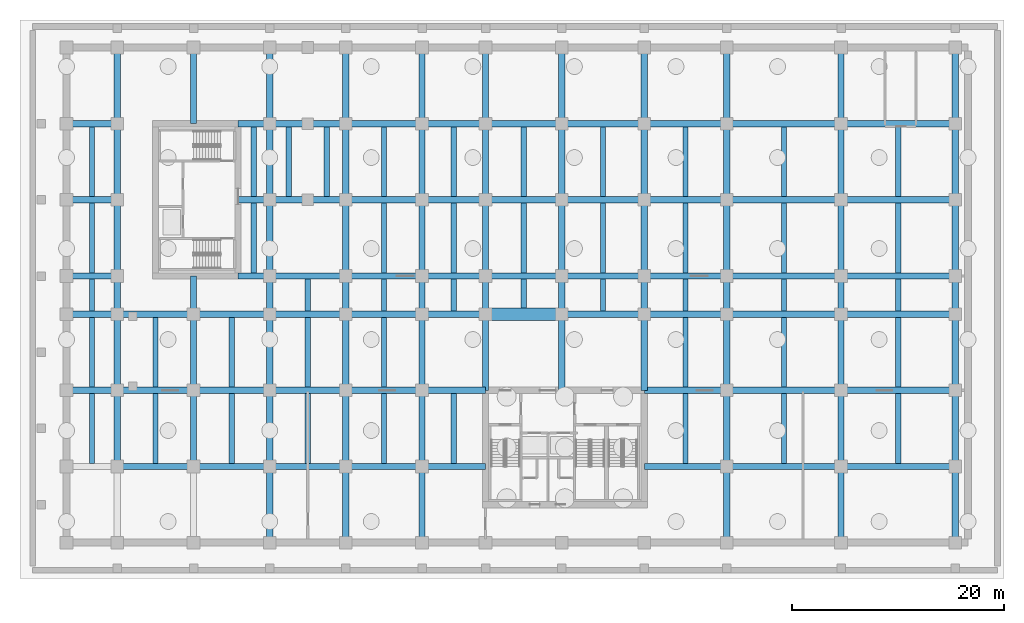
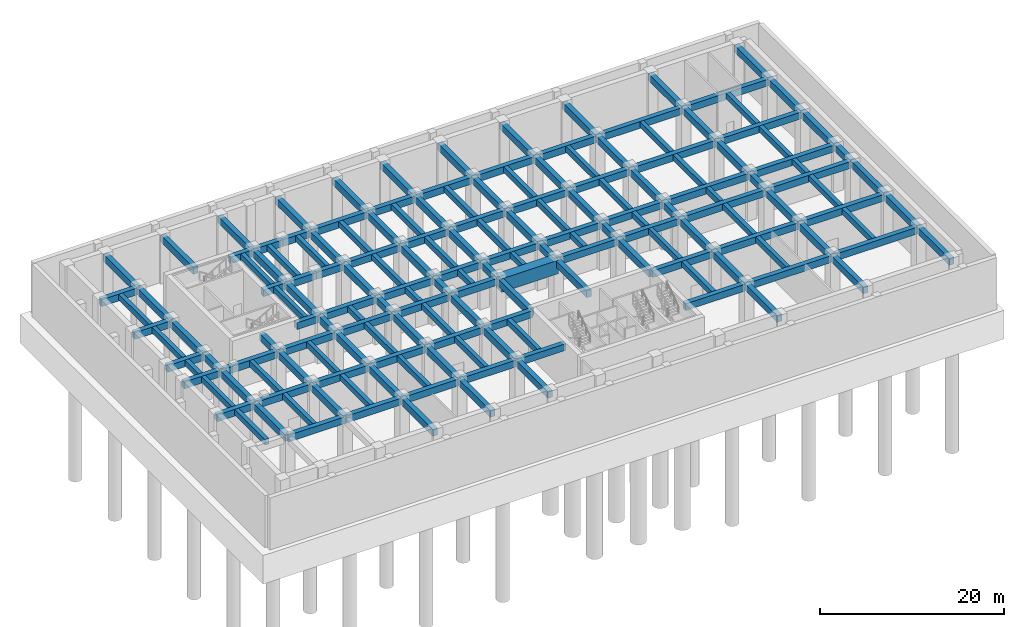
# One storey, part 2 of 13: 173 beams.
"""IFC4 building model written with IfcOpenShell, lengths in metres."""

from ifc_helpers import new_model, si_unit, derived_unit, direction, frame, origin, origin_2d, place, context, subcontext, project, spatial, rectangle, extrude, source, transform, mapped, material, material_profile, profile_set, type_object, type_shapes, element, save


model = new_model("IFC4")

# Units and contexts
model_context = context("Model", 3, precision=1e-05, world=origin(), true_north=direction((0.0, 1.0)))
body_context = subcontext(model_context, "Body", "Model", "MODEL_VIEW")
ifc_project = project(units=[si_unit("LENGTHUNIT", "METRE"), si_unit("AREAUNIT", "SQUARE_METRE"), si_unit("VOLUMEUNIT", "CUBIC_METRE"), si_unit("PLANEANGLEUNIT", "RADIAN"), si_unit("MASSUNIT", "GRAM", prefix="KILO"), si_unit("THERMODYNAMICTEMPERATUREUNIT", "KELVIN"), si_unit("POWERUNIT", "WATT"), derived_unit("THERMALTRANSMITTANCEUNIT", [(si_unit("POWERUNIT", "WATT"), 1), (si_unit("AREAUNIT", "SQUARE_METRE"), -1), (si_unit("THERMODYNAMICTEMPERATUREUNIT", "KELVIN"), -1)])], contexts=[model_context])

# Site, building, storey
site_placement = place(None, origin())
site = spatial("IfcSite", under=ifc_project, at=site_placement, CompositionType="ELEMENT")
building_placement = place(site_placement, origin())
building = spatial("IfcBuilding", under=site, at=building_placement, Name="Zahravan Archway Hotel and Residences", CompositionType="ELEMENT")
storey_placement = place(building_placement, frame((0.0, 0.0, -13.0)))
storey = spatial("IfcBuildingStorey", under=building, at=storey_placement, Name="B02", CompositionType="ELEMENT", Elevation=-13.0)

# Beams
ifc_material_1 = material(Name="Concrete C60/75", Category="concrete")
ifc_material_profile_1 = material_profile(ifc_material_1, rectangle(XDim=1.199951171875, YDim=1.800048828125, at=origin_2d()), Name="RC 1200x1800", Category="concrete")
ifc_profile_set_1 = profile_set([ifc_material_profile_1], Name="Concrete C60/75")
beam_type_1 = type_object("IfcBeamType", Name="BM-TRG-1200x1800", PredefinedType="T_BEAM", material=ifc_profile_set_1)
shared_shape_1 = source(origin(), body_context, "Body", "SweptSolid", [
    extrude(rectangle(XDim=1.199951171875, YDim=1.800048828125, at=origin_2d()), origin(), (0.0, 0.0, 1.0), 7.199951171875),
])
type_shapes(beam_type_1, [shared_shape_1])
beam_1_placement = place(storey_placement, frame((34.800048828125, 21.60009765625, 5.199951171875), z_axis=(1.0, 0.0, 0.0), x_axis=(0.0, 1.0, 0.0)))
element("IfcBeam", 1, at=beam_1_placement, inside=storey, type_object=beam_type_1, Name="B02 Metro Hall Deep Girder", PredefinedType="T_BEAM", context=body_context, shape_type="MappedRepresentation", body=[
    mapped(shared_shape_1, transform((0.0, 0.0, 0.0), scale=1.0)),
])
ifc_material_2 = material(Name="Concrete C50/60", Category="concrete")
ifc_material_profile_2 = material_profile(ifc_material_2, rectangle(XDim=0.60009765625, YDim=0.89990234375, at=origin_2d()), Name="RC-BM-600x900", Category="concrete")
ifc_profile_set_2 = profile_set([ifc_material_profile_2], Name="Concrete C50/60")
beam_type_2 = type_object("IfcBeamType", Name="BM-RC-600x900", PredefinedType="BEAM", material=ifc_profile_set_2)
shared_shape_2 = source(origin(), body_context, "Body", "SweptSolid", [
    extrude(rectangle(XDim=0.60009765625, YDim=0.89990234375, at=origin_2d()), origin(), (0.0, 0.0, 1.0), 4.800048828125),
])
type_shapes(beam_type_2, [shared_shape_2])
for number, where, z_axis, x_axis, name in (
    (2, (-4.800048828125, 14.39990234375, 5.64990234375), (1.0, 0.0, 0.0), (0.0, 1.0, 0.0), "B02 Primary Girder EW-10"),
    (3, (-4.800048828125, 21.60009765625, 5.64990234375), (1.0, 0.0, 0.0), (0.0, 1.0, 0.0), "B02 Primary Girder EW-19"),
    (4, (-4.800048828125, 25.199951171875, 5.64990234375), (1.0, 0.0, 0.0), (0.0, 1.0, 0.0), "B02 Primary Girder EW-29"),
    (5, (-4.800048828125, 32.39990234375, 5.64990234375), (1.0, 0.0, 0.0), (0.0, 1.0, 0.0), "B02 Primary Girder EW-39"),
    (6, (-4.800048828125, 39.60009765625, 5.64990234375), (1.0, 0.0, 0.0), (0.0, 1.0, 0.0), "B02 Primary Girder EW-50"),
):
    element("IfcBeam", number, at=place(storey_placement, frame(where, z_axis=z_axis, x_axis=x_axis)), inside=storey, type_object=beam_type_2, Name=name, PredefinedType="BEAM", context=body_context, shape_type="MappedRepresentation", body=[
        mapped(shared_shape_2, transform((0.0, 0.0, 0.0), scale=1.0)),
    ])
shared_shape_3 = source(origin(), body_context, "Body", "SweptSolid", [
    extrude(rectangle(XDim=0.60009765625, YDim=0.89990234375, at=origin_2d()), origin(), (0.0, 0.0, 1.0), 7.199951171875),
])
for number, where, z_axis, x_axis, name in (
    (7, (0.0, 7.199951171875, 5.64990234375), (1.0, 0.0, 0.0), (0.0, 1.0, 0.0), "B02 Primary Girder EW-02"),
    (8, (7.199951171875, 7.199951171875, 5.64990234375), (1.0, 0.0, 0.0), (0.0, 1.0, 0.0), "B02 Primary Girder EW-03"),
    (9, (21.60009765625, 7.199951171875, 5.64990234375), (1.0, 0.0, 0.0), (0.0, 1.0, 0.0), "B02 Primary Girder EW-05"),
    (10, (0.0, 14.39990234375, 5.64990234375), (1.0, 0.0, 0.0), (0.0, 1.0, 0.0), "B02 Primary Girder EW-11"),
    (11, (7.199951171875, 14.39990234375, 5.64990234375), (1.0, 0.0, 0.0), (0.0, 1.0, 0.0), "B02 Primary Girder EW-12"),
    (12, (21.60009765625, 14.39990234375, 5.64990234375), (1.0, 0.0, 0.0), (0.0, 1.0, 0.0), "B02 Primary Girder EW-14"),
    (13, (0.0, 21.60009765625, 5.64990234375), (1.0, 0.0, 0.0), (0.0, 1.0, 0.0), "B02 Primary Girder EW-20"),
    (14, (7.199951171875, 21.60009765625, 5.64990234375), (1.0, 0.0, 0.0), (0.0, 1.0, 0.0), "B02 Primary Girder EW-21"),
    (15, (21.60009765625, 21.60009765625, 5.64990234375), (1.0, 0.0, 0.0), (0.0, 1.0, 0.0), "B02 Primary Girder EW-23"),
    (16, (21.60009765625, 25.199951171875, 5.64990234375), (1.0, 0.0, 0.0), (0.0, 1.0, 0.0), "B02 Primary Girder EW-32"),
    (17, (34.800048828125, 25.199951171875, 5.64990234375), (1.0, 0.0, 0.0), (0.0, 1.0, 0.0), "B02 Primary Girder EW-34"),
    (18, (21.60009765625, 32.39990234375, 5.64990234375), (1.0, 0.0, 0.0), (0.0, 1.0, 0.0), "B02 Primary Girder EW-43"),
    (19, (34.800048828125, 32.39990234375, 5.64990234375), (1.0, 0.0, 0.0), (0.0, 1.0, 0.0), "B02 Primary Girder EW-45"),
    (20, (21.60009765625, 39.60009765625, 5.64990234375), (1.0, 0.0, 0.0), (0.0, 1.0, 0.0), "B02 Primary Girder EW-54"),
    (21, (34.800048828125, 39.60009765625, 5.64990234375), (1.0, 0.0, 0.0), (0.0, 1.0, 0.0), "B02 Primary Girder EW-56"),
    (22, (0.0, 7.199951171875, 5.64990234375), (0.0, 1.0, 0.0), (-1.0, 0.0, 0.0), "B02 Primary Girder NS-62"),
    (23, (0.0, 25.199951171875, 5.64990234375), (0.0, 1.0, 0.0), (-1.0, 0.0, 0.0), "B02 Primary Girder NS-65"),
    (24, (0.0, 39.60009765625, 5.64990234375), (0.0, 1.0, 0.0), (-1.0, 0.0, 0.0), "B02 Primary Girder NS-67"),
    (25, (7.199951171875, 7.199951171875, 5.64990234375), (0.0, 1.0, 0.0), (-1.0, 0.0, 0.0), "B02 Primary Girder NS-69"),
    (26, (7.199951171875, 39.60009765625, 5.64990234375), (0.0, 1.0, 0.0), (-1.0, 0.0, 0.0), "B02 Primary Girder NS-72"),
    (27, (14.39990234375, 0.0, 5.64990234375), (0.0, 1.0, 0.0), (-1.0, 0.0, 0.0), "B02 Primary Girder NS-73"),
    (28, (14.39990234375, 7.199951171875, 5.64990234375), (0.0, 1.0, 0.0), (-1.0, 0.0, 0.0), "B02 Primary Girder NS-74"),
    (29, (14.39990234375, 25.199951171875, 5.64990234375), (0.0, 1.0, 0.0), (-1.0, 0.0, 0.0), "B02 Primary Girder NS-77"),
    (30, (14.39990234375, 39.60009765625, 5.64990234375), (0.0, 1.0, 0.0), (-1.0, 0.0, 0.0), "B02 Primary Girder NS-79"),
    (31, (21.60009765625, 0.0, 5.64990234375), (0.0, 1.0, 0.0), (-1.0, 0.0, 0.0), "B02 Primary Girder NS-80"),
    (32, (21.60009765625, 7.199951171875, 5.64990234375), (0.0, 1.0, 0.0), (-1.0, 0.0, 0.0), "B02 Primary Girder NS-81"),
    (33, (21.60009765625, 25.199951171875, 5.64990234375), (0.0, 1.0, 0.0), (-1.0, 0.0, 0.0), "B02 Primary Girder NS-84"),
    (34, (21.60009765625, 39.60009765625, 5.64990234375), (0.0, 1.0, 0.0), (-1.0, 0.0, 0.0), "B02 Primary Girder NS-86"),
    (35, (28.800048828125, 0.0, 5.64990234375), (0.0, 1.0, 0.0), (-1.0, 0.0, 0.0), "B02 Primary Girder NS-87"),
    (36, (28.800048828125, 7.199951171875, 5.64990234375), (0.0, 1.0, 0.0), (-1.0, 0.0, 0.0), "B02 Primary Girder NS-88"),
    (37, (28.800048828125, 25.199951171875, 5.64990234375), (0.0, 1.0, 0.0), (-1.0, 0.0, 0.0), "B02 Primary Girder NS-91"),
    (38, (28.800048828125, 39.60009765625, 5.64990234375), (0.0, 1.0, 0.0), (-1.0, 0.0, 0.0), "B02 Primary Girder NS-93"),
    (39, (34.800048828125, 25.199951171875, 5.64990234375), (0.0, 1.0, 0.0), (-1.0, 0.0, 0.0), "B02 Primary Girder NS-96"),
    (40, (34.800048828125, 39.60009765625, 5.64990234375), (0.0, 1.0, 0.0), (-1.0, 0.0, 0.0), "B02 Primary Girder NS-98"),
    (41, (42.0, 25.199951171875, 5.64990234375), (0.0, 1.0, 0.0), (-1.0, 0.0, 0.0), "B02 Primary Girder NS-101"),
    (42, (42.0, 39.60009765625, 5.64990234375), (0.0, 1.0, 0.0), (-1.0, 0.0, 0.0), "B02 Primary Girder NS-103"),
    (43, (49.800048828125, 25.199951171875, 5.64990234375), (0.0, 1.0, 0.0), (-1.0, 0.0, 0.0), "B02 Primary Girder NS-106"),
    (44, (49.800048828125, 39.60009765625, 5.64990234375), (0.0, 1.0, 0.0), (-1.0, 0.0, 0.0), "B02 Primary Girder NS-108"),
    (45, (57.60009765625, 0.0, 5.64990234375), (0.0, 1.0, 0.0), (-1.0, 0.0, 0.0), "B02 Primary Girder NS-109"),
    (46, (57.60009765625, 7.199951171875, 5.64990234375), (0.0, 1.0, 0.0), (-1.0, 0.0, 0.0), "B02 Primary Girder NS-110"),
    (47, (57.60009765625, 25.199951171875, 5.64990234375), (0.0, 1.0, 0.0), (-1.0, 0.0, 0.0), "B02 Primary Girder NS-113"),
    (48, (57.60009765625, 39.60009765625, 5.64990234375), (0.0, 1.0, 0.0), (-1.0, 0.0, 0.0), "B02 Primary Girder NS-115"),
    (49, (68.39990234375, 0.0, 5.64990234375), (0.0, 1.0, 0.0), (-1.0, 0.0, 0.0), "B02 Primary Girder NS-116"),
    (50, (68.39990234375, 7.199951171875, 5.64990234375), (0.0, 1.0, 0.0), (-1.0, 0.0, 0.0), "B02 Primary Girder NS-117"),
    (51, (68.39990234375, 25.199951171875, 5.64990234375), (0.0, 1.0, 0.0), (-1.0, 0.0, 0.0), "B02 Primary Girder NS-120"),
    (52, (68.39990234375, 39.60009765625, 5.64990234375), (0.0, 1.0, 0.0), (-1.0, 0.0, 0.0), "B02 Primary Girder NS-122"),
    (53, (79.199951171875, 0.0, 5.64990234375), (0.0, 1.0, 0.0), (-1.0, 0.0, 0.0), "B02 Primary Girder NS-123"),
    (54, (79.199951171875, 7.199951171875, 5.64990234375), (0.0, 1.0, 0.0), (-1.0, 0.0, 0.0), "B02 Primary Girder NS-124"),
    (55, (79.199951171875, 25.199951171875, 5.64990234375), (0.0, 1.0, 0.0), (-1.0, 0.0, 0.0), "B02 Primary Girder NS-127"),
    (56, (79.199951171875, 39.60009765625, 5.64990234375), (0.0, 1.0, 0.0), (-1.0, 0.0, 0.0), "B02 Primary Girder NS-129"),
):
    element("IfcBeam", number, at=place(storey_placement, frame(where, z_axis=z_axis, x_axis=x_axis)), inside=storey, type_object=beam_type_2, Name=name, PredefinedType="BEAM", context=body_context, shape_type="MappedRepresentation", body=[
        mapped(shared_shape_3, transform((0.0, 0.0, 0.0), scale=1.0)),
    ])
shared_shape_4 = source(origin(), body_context, "Body", "SweptSolid", [
    extrude(rectangle(XDim=0.60009765625, YDim=0.89990234375, at=origin_2d()), origin(), (0.0, 0.0, 1.0), 7.2001953125),
])
for number, where, z_axis, x_axis, name in (
    (57, (14.39990234375, 7.199951171875, 5.64990234375), (1.0, 0.0, 0.0), (0.0, 1.0, 0.0), "B02 Primary Girder EW-04"),
    (58, (14.39990234375, 14.39990234375, 5.64990234375), (1.0, 0.0, 0.0), (0.0, 1.0, 0.0), "B02 Primary Girder EW-13"),
    (59, (14.39990234375, 21.60009765625, 5.64990234375), (1.0, 0.0, 0.0), (0.0, 1.0, 0.0), "B02 Primary Girder EW-22"),
    (60, (14.39990234375, 25.199951171875, 5.64990234375), (1.0, 0.0, 0.0), (0.0, 1.0, 0.0), "B02 Primary Girder EW-31"),
    (61, (0.0, 14.39990234375, 5.64990234375), (0.0, 1.0, 0.0), (-1.0, 0.0, 0.0), "B02 Primary Girder NS-63"),
    (62, (0.0, 32.39990234375, 5.64990234375), (0.0, 1.0, 0.0), (-1.0, 0.0, 0.0), "B02 Primary Girder NS-66"),
    (63, (7.199951171875, 14.39990234375, 5.64990234375), (0.0, 1.0, 0.0), (-1.0, 0.0, 0.0), "B02 Primary Girder NS-70"),
    (64, (14.39990234375, 14.39990234375, 5.64990234375), (0.0, 1.0, 0.0), (-1.0, 0.0, 0.0), "B02 Primary Girder NS-75"),
    (65, (14.39990234375, 32.39990234375, 5.64990234375), (0.0, 1.0, 0.0), (-1.0, 0.0, 0.0), "B02 Primary Girder NS-78"),
    (66, (21.60009765625, 14.39990234375, 5.64990234375), (0.0, 1.0, 0.0), (-1.0, 0.0, 0.0), "B02 Primary Girder NS-82"),
    (67, (21.60009765625, 32.39990234375, 5.64990234375), (0.0, 1.0, 0.0), (-1.0, 0.0, 0.0), "B02 Primary Girder NS-85"),
    (68, (28.800048828125, 14.39990234375, 5.64990234375), (0.0, 1.0, 0.0), (-1.0, 0.0, 0.0), "B02 Primary Girder NS-89"),
    (69, (28.800048828125, 32.39990234375, 5.64990234375), (0.0, 1.0, 0.0), (-1.0, 0.0, 0.0), "B02 Primary Girder NS-92"),
    (70, (34.800048828125, 14.39990234375, 5.64990234375), (0.0, 1.0, 0.0), (-1.0, 0.0, 0.0), "B02 Primary Girder NS-94"),
    (71, (34.800048828125, 32.39990234375, 5.64990234375), (0.0, 1.0, 0.0), (-1.0, 0.0, 0.0), "B02 Primary Girder NS-97"),
    (72, (42.0, 14.39990234375, 5.64990234375), (0.0, 1.0, 0.0), (-1.0, 0.0, 0.0), "B02 Primary Girder NS-99"),
    (73, (42.0, 32.39990234375, 5.64990234375), (0.0, 1.0, 0.0), (-1.0, 0.0, 0.0), "B02 Primary Girder NS-102"),
    (74, (49.800048828125, 14.39990234375, 5.64990234375), (0.0, 1.0, 0.0), (-1.0, 0.0, 0.0), "B02 Primary Girder NS-104"),
    (75, (49.800048828125, 32.39990234375, 5.64990234375), (0.0, 1.0, 0.0), (-1.0, 0.0, 0.0), "B02 Primary Girder NS-107"),
    (76, (57.60009765625, 14.39990234375, 5.64990234375), (0.0, 1.0, 0.0), (-1.0, 0.0, 0.0), "B02 Primary Girder NS-111"),
    (77, (57.60009765625, 32.39990234375, 5.64990234375), (0.0, 1.0, 0.0), (-1.0, 0.0, 0.0), "B02 Primary Girder NS-114"),
    (78, (68.39990234375, 14.39990234375, 5.64990234375), (0.0, 1.0, 0.0), (-1.0, 0.0, 0.0), "B02 Primary Girder NS-118"),
    (79, (68.39990234375, 32.39990234375, 5.64990234375), (0.0, 1.0, 0.0), (-1.0, 0.0, 0.0), "B02 Primary Girder NS-121"),
    (80, (79.199951171875, 14.39990234375, 5.64990234375), (0.0, 1.0, 0.0), (-1.0, 0.0, 0.0), "B02 Primary Girder NS-125"),
    (81, (79.199951171875, 32.39990234375, 5.64990234375), (0.0, 1.0, 0.0), (-1.0, 0.0, 0.0), "B02 Primary Girder NS-128"),
):
    element("IfcBeam", number, at=place(storey_placement, frame(where, z_axis=z_axis, x_axis=x_axis)), inside=storey, type_object=beam_type_2, Name=name, PredefinedType="BEAM", context=body_context, shape_type="MappedRepresentation", body=[
        mapped(shared_shape_4, transform((0.0, 0.0, 0.0), scale=1.0)),
    ])
shared_shape_5 = source(origin(), body_context, "Body", "SweptSolid", [
    extrude(rectangle(XDim=0.60009765625, YDim=0.89990234375, at=origin_2d()), origin(), (0.0, 0.0, 1.0), 6.0),
])
for number, where, z_axis, x_axis, name in (
    (82, (28.800048828125, 7.199951171875, 5.64990234375), (1.0, 0.0, 0.0), (0.0, 1.0, 0.0), "B02 Primary Girder EW-06"),
    (83, (28.800048828125, 14.39990234375, 5.64990234375), (1.0, 0.0, 0.0), (0.0, 1.0, 0.0), "B02 Primary Girder EW-15"),
    (84, (28.800048828125, 21.60009765625, 5.64990234375), (1.0, 0.0, 0.0), (0.0, 1.0, 0.0), "B02 Primary Girder EW-24"),
    (85, (28.800048828125, 25.199951171875, 5.64990234375), (1.0, 0.0, 0.0), (0.0, 1.0, 0.0), "B02 Primary Girder EW-33"),
    (86, (28.800048828125, 32.39990234375, 5.64990234375), (1.0, 0.0, 0.0), (0.0, 1.0, 0.0), "B02 Primary Girder EW-44"),
    (87, (28.800048828125, 39.60009765625, 5.64990234375), (1.0, 0.0, 0.0), (0.0, 1.0, 0.0), "B02 Primary Girder EW-55"),
):
    element("IfcBeam", number, at=place(storey_placement, frame(where, z_axis=z_axis, x_axis=x_axis)), inside=storey, type_object=beam_type_2, Name=name, PredefinedType="BEAM", context=body_context, shape_type="MappedRepresentation", body=[
        mapped(shared_shape_5, transform((0.0, 0.0, 0.0), scale=1.0)),
    ])
shared_shape_6 = source(origin(), body_context, "Body", "SweptSolid", [
    extrude(rectangle(XDim=0.60009765625, YDim=0.89990234375, at=origin_2d()), origin(), (0.0, 0.0, 1.0), 7.800048828125),
])
for number, where, z_axis, x_axis, name in (
    (88, (49.800048828125, 7.199951171875, 5.64990234375), (1.0, 0.0, 0.0), (0.0, 1.0, 0.0), "B02 Primary Girder EW-07"),
    (89, (49.800048828125, 14.39990234375, 5.64990234375), (1.0, 0.0, 0.0), (0.0, 1.0, 0.0), "B02 Primary Girder EW-16"),
    (90, (42.0, 21.60009765625, 5.64990234375), (1.0, 0.0, 0.0), (0.0, 1.0, 0.0), "B02 Primary Girder EW-25"),
    (91, (49.800048828125, 21.60009765625, 5.64990234375), (1.0, 0.0, 0.0), (0.0, 1.0, 0.0), "B02 Primary Girder EW-26"),
    (92, (42.0, 25.199951171875, 5.64990234375), (1.0, 0.0, 0.0), (0.0, 1.0, 0.0), "B02 Primary Girder EW-35"),
    (93, (49.800048828125, 25.199951171875, 5.64990234375), (1.0, 0.0, 0.0), (0.0, 1.0, 0.0), "B02 Primary Girder EW-36"),
    (94, (42.0, 32.39990234375, 5.64990234375), (1.0, 0.0, 0.0), (0.0, 1.0, 0.0), "B02 Primary Girder EW-46"),
    (95, (49.800048828125, 32.39990234375, 5.64990234375), (1.0, 0.0, 0.0), (0.0, 1.0, 0.0), "B02 Primary Girder EW-47"),
    (96, (42.0, 39.60009765625, 5.64990234375), (1.0, 0.0, 0.0), (0.0, 1.0, 0.0), "B02 Primary Girder EW-57"),
    (97, (49.800048828125, 39.60009765625, 5.64990234375), (1.0, 0.0, 0.0), (0.0, 1.0, 0.0), "B02 Primary Girder EW-58"),
):
    element("IfcBeam", number, at=place(storey_placement, frame(where, z_axis=z_axis, x_axis=x_axis)), inside=storey, type_object=beam_type_2, Name=name, PredefinedType="BEAM", context=body_context, shape_type="MappedRepresentation", body=[
        mapped(shared_shape_6, transform((0.0, 0.0, 0.0), scale=1.0)),
    ])
shared_shape_7 = source(origin(), body_context, "Body", "SweptSolid", [
    extrude(rectangle(XDim=0.60009765625, YDim=0.89990234375, at=origin_2d()), origin(), (0.0, 0.0, 1.0), 10.7998046875),
])
for number, where, z_axis, x_axis, name in (
    (98, (57.60009765625, 7.199951171875, 5.64990234375), (1.0, 0.0, 0.0), (0.0, 1.0, 0.0), "B02 Primary Girder EW-08"),
    (99, (57.60009765625, 14.39990234375, 5.64990234375), (1.0, 0.0, 0.0), (0.0, 1.0, 0.0), "B02 Primary Girder EW-17"),
    (100, (57.60009765625, 21.60009765625, 5.64990234375), (1.0, 0.0, 0.0), (0.0, 1.0, 0.0), "B02 Primary Girder EW-27"),
    (101, (57.60009765625, 25.199951171875, 5.64990234375), (1.0, 0.0, 0.0), (0.0, 1.0, 0.0), "B02 Primary Girder EW-37"),
    (102, (57.60009765625, 32.39990234375, 5.64990234375), (1.0, 0.0, 0.0), (0.0, 1.0, 0.0), "B02 Primary Girder EW-48"),
    (103, (57.60009765625, 39.60009765625, 5.64990234375), (1.0, 0.0, 0.0), (0.0, 1.0, 0.0), "B02 Primary Girder EW-59"),
):
    element("IfcBeam", number, at=place(storey_placement, frame(where, z_axis=z_axis, x_axis=x_axis)), inside=storey, type_object=beam_type_2, Name=name, PredefinedType="BEAM", context=body_context, shape_type="MappedRepresentation", body=[
        mapped(shared_shape_7, transform((0.0, 0.0, 0.0), scale=1.0)),
    ])
shared_shape_8 = source(origin(), body_context, "Body", "SweptSolid", [
    extrude(rectangle(XDim=0.60009765625, YDim=0.89990234375, at=origin_2d()), origin(), (0.0, 0.0, 1.0), 10.800048828125),
])
for number, where, z_axis, x_axis, name in (
    (104, (68.39990234375, 7.199951171875, 5.64990234375), (1.0, 0.0, 0.0), (0.0, 1.0, 0.0), "B02 Primary Girder EW-09"),
    (105, (68.39990234375, 14.39990234375, 5.64990234375), (1.0, 0.0, 0.0), (0.0, 1.0, 0.0), "B02 Primary Girder EW-18"),
    (106, (68.39990234375, 21.60009765625, 5.64990234375), (1.0, 0.0, 0.0), (0.0, 1.0, 0.0), "B02 Primary Girder EW-28"),
    (107, (68.39990234375, 25.199951171875, 5.64990234375), (1.0, 0.0, 0.0), (0.0, 1.0, 0.0), "B02 Primary Girder EW-38"),
    (108, (68.39990234375, 32.39990234375, 5.64990234375), (1.0, 0.0, 0.0), (0.0, 1.0, 0.0), "B02 Primary Girder EW-49"),
    (109, (68.39990234375, 39.60009765625, 5.64990234375), (1.0, 0.0, 0.0), (0.0, 1.0, 0.0), "B02 Primary Girder EW-60"),
):
    element("IfcBeam", number, at=place(storey_placement, frame(where, z_axis=z_axis, x_axis=x_axis)), inside=storey, type_object=beam_type_2, Name=name, PredefinedType="BEAM", context=body_context, shape_type="MappedRepresentation", body=[
        mapped(shared_shape_8, transform((0.0, 0.0, 0.0), scale=1.0)),
    ])
shared_shape_9 = source(origin(), body_context, "Body", "SweptSolid", [
    extrude(rectangle(XDim=0.60009765625, YDim=0.89990234375, at=origin_2d()), origin(), (0.0, 0.0, 1.0), 3.0),
])
for number, where, z_axis, x_axis, name in (
    (110, (11.39990234375, 25.199951171875, 5.64990234375), (1.0, 0.0, 0.0), (0.0, 1.0, 0.0), "B02 Primary Girder EW-30"),
    (111, (11.39990234375, 32.39990234375, 5.64990234375), (1.0, 0.0, 0.0), (0.0, 1.0, 0.0), "B02 Primary Girder EW-40"),
    (112, (11.39990234375, 39.60009765625, 5.64990234375), (1.0, 0.0, 0.0), (0.0, 1.0, 0.0), "B02 Primary Girder EW-51"),
):
    element("IfcBeam", number, at=place(storey_placement, frame(where, z_axis=z_axis, x_axis=x_axis)), inside=storey, type_object=beam_type_2, Name=name, PredefinedType="BEAM", context=body_context, shape_type="MappedRepresentation", body=[
        mapped(shared_shape_9, transform((0.0, 0.0, 0.0), scale=1.0)),
    ])
shared_shape_10 = source(origin(), body_context, "Body", "SweptSolid", [
    extrude(rectangle(XDim=0.60009765625, YDim=0.89990234375, at=origin_2d()), origin(), (0.0, 0.0, 1.0), 3.60009765625),
])
for number, where, z_axis, x_axis, name in (
    (113, (14.39990234375, 32.39990234375, 5.64990234375), (1.0, 0.0, 0.0), (0.0, 1.0, 0.0), "B02 Primary Girder EW-41"),
    (114, (18.0, 32.39990234375, 5.64990234375), (1.0, 0.0, 0.0), (0.0, 1.0, 0.0), "B02 Primary Girder EW-42"),
    (115, (14.39990234375, 39.60009765625, 5.64990234375), (1.0, 0.0, 0.0), (0.0, 1.0, 0.0), "B02 Primary Girder EW-52"),
    (116, (18.0, 39.60009765625, 5.64990234375), (1.0, 0.0, 0.0), (0.0, 1.0, 0.0), "B02 Primary Girder EW-53"),
):
    element("IfcBeam", number, at=place(storey_placement, frame(where, z_axis=z_axis, x_axis=x_axis)), inside=storey, type_object=beam_type_2, Name=name, PredefinedType="BEAM", context=body_context, shape_type="MappedRepresentation", body=[
        mapped(shared_shape_10, transform((0.0, 0.0, 0.0), scale=1.0)),
    ])
shared_shape_11 = source(origin(), body_context, "Body", "SweptSolid", [
    extrude(rectangle(XDim=0.60009765625, YDim=0.89990234375, at=origin_2d()), origin(), (0.0, 0.0, 1.0), 3.599853515625),
])
for number, where, z_axis, x_axis, name in (
    (117, (0.0, 21.60009765625, 5.64990234375), (0.0, 1.0, 0.0), (-1.0, 0.0, 0.0), "B02 Primary Girder NS-64"),
    (118, (7.199951171875, 21.60009765625, 5.64990234375), (0.0, 1.0, 0.0), (-1.0, 0.0, 0.0), "B02 Primary Girder NS-71"),
    (119, (14.39990234375, 21.60009765625, 5.64990234375), (0.0, 1.0, 0.0), (-1.0, 0.0, 0.0), "B02 Primary Girder NS-76"),
    (120, (21.60009765625, 21.60009765625, 5.64990234375), (0.0, 1.0, 0.0), (-1.0, 0.0, 0.0), "B02 Primary Girder NS-83"),
    (121, (28.800048828125, 21.60009765625, 5.64990234375), (0.0, 1.0, 0.0), (-1.0, 0.0, 0.0), "B02 Primary Girder NS-90"),
    (122, (34.800048828125, 21.60009765625, 5.64990234375), (0.0, 1.0, 0.0), (-1.0, 0.0, 0.0), "B02 Primary Girder NS-95"),
    (123, (42.0, 21.60009765625, 5.64990234375), (0.0, 1.0, 0.0), (-1.0, 0.0, 0.0), "B02 Primary Girder NS-100"),
    (124, (49.800048828125, 21.60009765625, 5.64990234375), (0.0, 1.0, 0.0), (-1.0, 0.0, 0.0), "B02 Primary Girder NS-105"),
    (125, (57.60009765625, 21.60009765625, 5.64990234375), (0.0, 1.0, 0.0), (-1.0, 0.0, 0.0), "B02 Primary Girder NS-112"),
    (126, (68.39990234375, 21.60009765625, 5.64990234375), (0.0, 1.0, 0.0), (-1.0, 0.0, 0.0), "B02 Primary Girder NS-119"),
    (127, (79.199951171875, 21.60009765625, 5.64990234375), (0.0, 1.0, 0.0), (-1.0, 0.0, 0.0), "B02 Primary Girder NS-126"),
):
    element("IfcBeam", number, at=place(storey_placement, frame(where, z_axis=z_axis, x_axis=x_axis)), inside=storey, type_object=beam_type_2, Name=name, PredefinedType="BEAM", context=body_context, shape_type="MappedRepresentation", body=[
        mapped(shared_shape_11, transform((0.0, 0.0, 0.0), scale=1.0)),
    ])
ifc_material_profile_3 = material_profile(ifc_material_2, rectangle(XDim=0.5, YDim=0.75, at=origin_2d()), Name="RC-BM-500x750", Category="concrete")
ifc_profile_set_3 = profile_set([ifc_material_profile_3], Name="Concrete C50/60")
beam_type_3 = type_object("IfcBeamType", Name="BM-RC-500x750", PredefinedType="BEAM", material=ifc_profile_set_3)
shared_shape_12 = source(origin(), body_context, "Body", "SweptSolid", [
    extrude(rectangle(XDim=0.5, YDim=0.75, at=origin_2d()), origin(), (0.0, 0.0, 1.0), 6.60400390625),
])
type_shapes(beam_type_3, [shared_shape_12])
for number, where, z_axis, x_axis, name in (
    (128, (-2.39990234375, 7.498046875, 5.72509765625), (0.0, 1.0, 0.0), (-1.0, 0.0, 0.0), "B02 Composite Floor Joist 01"),
    (129, (3.60009765625, 7.498046875, 5.72509765625), (0.0, 1.0, 0.0), (-1.0, 0.0, 0.0), "B02 Composite Floor Joist 02"),
    (130, (10.800048828125, 7.498046875, 5.72509765625), (0.0, 1.0, 0.0), (-1.0, 0.0, 0.0), "B02 Composite Floor Joist 03"),
    (131, (18.0, 7.498046875, 5.72509765625), (0.0, 1.0, 0.0), (-1.0, 0.0, 0.0), "B02 Composite Floor Joist 04"),
    (132, (25.199951171875, 7.498046875, 5.72509765625), (0.0, 1.0, 0.0), (-1.0, 0.0, 0.0), "B02 Composite Floor Joist 05"),
    (133, (31.800048828125, 7.498046875, 5.72509765625), (0.0, 1.0, 0.0), (-1.0, 0.0, 0.0), "B02 Composite Floor Joist 06"),
    (134, (53.699951171875, 7.498046875, 5.72509765625), (0.0, 1.0, 0.0), (-1.0, 0.0, 0.0), "B02 Composite Floor Joist 07"),
    (135, (63.0, 7.498046875, 5.72509765625), (0.0, 1.0, 0.0), (-1.0, 0.0, 0.0), "B02 Composite Floor Joist 08"),
    (136, (73.800048828125, 7.498046875, 5.72509765625), (0.0, 1.0, 0.0), (-1.0, 0.0, 0.0), "B02 Composite Floor Joist 09"),
    (137, (-2.39990234375, 14.697998046875, 5.72509765625), (0.0, 1.0, 0.0), (-1.0, 0.0, 0.0), "B02 Composite Floor Joist 10"),
    (138, (3.60009765625, 14.697998046875, 5.72509765625), (0.0, 1.0, 0.0), (-1.0, 0.0, 0.0), "B02 Composite Floor Joist 11"),
    (139, (10.800048828125, 14.697998046875, 5.72509765625), (0.0, 1.0, 0.0), (-1.0, 0.0, 0.0), "B02 Composite Floor Joist 12"),
    (140, (18.0, 14.697998046875, 5.72509765625), (0.0, 1.0, 0.0), (-1.0, 0.0, 0.0), "B02 Composite Floor Joist 13"),
    (141, (25.199951171875, 14.697998046875, 5.72509765625), (0.0, 1.0, 0.0), (-1.0, 0.0, 0.0), "B02 Composite Floor Joist 14"),
    (142, (53.699951171875, 14.697998046875, 5.72509765625), (0.0, 1.0, 0.0), (-1.0, 0.0, 0.0), "B02 Composite Floor Joist 15"),
    (143, (63.0, 14.697998046875, 5.72509765625), (0.0, 1.0, 0.0), (-1.0, 0.0, 0.0), "B02 Composite Floor Joist 16"),
    (144, (73.800048828125, 14.697998046875, 5.72509765625), (0.0, 1.0, 0.0), (-1.0, 0.0, 0.0), "B02 Composite Floor Joist 17"),
    (145, (-2.39990234375, 25.498046875, 5.72509765625), (0.0, 1.0, 0.0), (-1.0, 0.0, 0.0), "B02 Composite Floor Joist 27"),
    (146, (12.89990234375, 25.498046875, 5.72509765625), (0.0, 1.0, 0.0), (-1.0, 0.0, 0.0), "B02 Composite Floor Joist 28"),
    (147, (25.199951171875, 25.498046875, 5.72509765625), (0.0, 1.0, 0.0), (-1.0, 0.0, 0.0), "B02 Composite Floor Joist 29"),
    (148, (31.800048828125, 25.498046875, 5.72509765625), (0.0, 1.0, 0.0), (-1.0, 0.0, 0.0), "B02 Composite Floor Joist 30"),
    (149, (38.39990234375, 25.498046875, 5.72509765625), (0.0, 1.0, 0.0), (-1.0, 0.0, 0.0), "B02 Composite Floor Joist 31"),
    (150, (45.89990234375, 25.498046875, 5.72509765625), (0.0, 1.0, 0.0), (-1.0, 0.0, 0.0), "B02 Composite Floor Joist 32"),
    (151, (53.699951171875, 25.498046875, 5.72509765625), (0.0, 1.0, 0.0), (-1.0, 0.0, 0.0), "B02 Composite Floor Joist 33"),
    (152, (63.0, 25.498046875, 5.72509765625), (0.0, 1.0, 0.0), (-1.0, 0.0, 0.0), "B02 Composite Floor Joist 34"),
    (153, (73.800048828125, 25.498046875, 5.72509765625), (0.0, 1.0, 0.0), (-1.0, 0.0, 0.0), "B02 Composite Floor Joist 35"),
    (154, (-2.39990234375, 32.697998046875, 5.72509765625), (0.0, 1.0, 0.0), (-1.0, 0.0, 0.0), "B02 Composite Floor Joist 36"),
    (155, (12.89990234375, 32.697998046875, 5.72509765625), (0.0, 1.0, 0.0), (-1.0, 0.0, 0.0), "B02 Composite Floor Joist 37"),
    (156, (16.199951171875, 32.697998046875, 5.72509765625), (0.0, 1.0, 0.0), (-1.0, 0.0, 0.0), "B02 Composite Floor Joist 38"),
    (157, (19.800048828125, 32.697998046875, 5.72509765625), (0.0, 1.0, 0.0), (-1.0, 0.0, 0.0), "B02 Composite Floor Joist 39"),
    (158, (25.199951171875, 32.697998046875, 5.72509765625), (0.0, 1.0, 0.0), (-1.0, 0.0, 0.0), "B02 Composite Floor Joist 40"),
    (159, (31.800048828125, 32.697998046875, 5.72509765625), (0.0, 1.0, 0.0), (-1.0, 0.0, 0.0), "B02 Composite Floor Joist 41"),
    (160, (38.39990234375, 32.697998046875, 5.72509765625), (0.0, 1.0, 0.0), (-1.0, 0.0, 0.0), "B02 Composite Floor Joist 42"),
    (161, (45.89990234375, 32.697998046875, 5.72509765625), (0.0, 1.0, 0.0), (-1.0, 0.0, 0.0), "B02 Composite Floor Joist 43"),
    (162, (53.699951171875, 32.697998046875, 5.72509765625), (0.0, 1.0, 0.0), (-1.0, 0.0, 0.0), "B02 Composite Floor Joist 44"),
    (163, (63.0, 32.697998046875, 5.72509765625), (0.0, 1.0, 0.0), (-1.0, 0.0, 0.0), "B02 Composite Floor Joist 45"),
    (164, (73.800048828125, 32.697998046875, 5.72509765625), (0.0, 1.0, 0.0), (-1.0, 0.0, 0.0), "B02 Composite Floor Joist 46"),
):
    element("IfcBeam", number, at=place(storey_placement, frame(where, z_axis=z_axis, x_axis=x_axis)), inside=storey, type_object=beam_type_3, Name=name, PredefinedType="JOIST", context=body_context, shape_type="MappedRepresentation", body=[
        mapped(shared_shape_12, transform((0.0, 0.0, 0.0), scale=1.0)),
    ])
shared_shape_13 = source(origin(), body_context, "Body", "SweptSolid", [
    extrude(rectangle(XDim=0.5, YDim=0.75, at=origin_2d()), origin(), (0.0, 0.0, 1.0), 2.7041015625),
])
beam_2_placement = place(storey_placement, frame((38.39990234375, 22.197998046875, 5.72509765625), z_axis=(0.0, 1.0, 0.0), x_axis=(-1.0, 0.0, 0.0)))
element("IfcBeam", 165, at=beam_2_placement, inside=storey, type_object=beam_type_3, Name="B02 Composite Floor Joist 18", PredefinedType="JOIST", context=body_context, shape_type="MappedRepresentation", body=[
    mapped(shared_shape_13, transform((0.0, 0.0, 0.0), scale=1.0)),
])
shared_shape_14 = source(origin(), body_context, "Body", "SweptSolid", [
    extrude(rectangle(XDim=0.5, YDim=0.75, at=origin_2d()), origin(), (0.0, 0.0, 1.0), 3.004150390625),
])
for number, where, z_axis, x_axis, name in (
    (166, (-2.39990234375, 21.89794921875, 5.72509765625), (0.0, 1.0, 0.0), (-1.0, 0.0, 0.0), "B02 Composite Floor Joist 19"),
    (167, (18.0, 21.89794921875, 5.72509765625), (0.0, 1.0, 0.0), (-1.0, 0.0, 0.0), "B02 Composite Floor Joist 20"),
    (168, (25.199951171875, 21.89794921875, 5.72509765625), (0.0, 1.0, 0.0), (-1.0, 0.0, 0.0), "B02 Composite Floor Joist 21"),
    (169, (31.800048828125, 21.89794921875, 5.72509765625), (0.0, 1.0, 0.0), (-1.0, 0.0, 0.0), "B02 Composite Floor Joist 22"),
    (170, (45.89990234375, 21.89794921875, 5.72509765625), (0.0, 1.0, 0.0), (-1.0, 0.0, 0.0), "B02 Composite Floor Joist 23"),
    (171, (53.699951171875, 21.89794921875, 5.72509765625), (0.0, 1.0, 0.0), (-1.0, 0.0, 0.0), "B02 Composite Floor Joist 24"),
    (172, (63.0, 21.89794921875, 5.72509765625), (0.0, 1.0, 0.0), (-1.0, 0.0, 0.0), "B02 Composite Floor Joist 25"),
    (173, (73.800048828125, 21.89794921875, 5.72509765625), (0.0, 1.0, 0.0), (-1.0, 0.0, 0.0), "B02 Composite Floor Joist 26"),
):
    element("IfcBeam", number, at=place(storey_placement, frame(where, z_axis=z_axis, x_axis=x_axis)), inside=storey, type_object=beam_type_3, Name=name, PredefinedType="JOIST", context=body_context, shape_type="MappedRepresentation", body=[
        mapped(shared_shape_14, transform((0.0, 0.0, 0.0), scale=1.0)),
    ])

save(model, "model.ifc")
